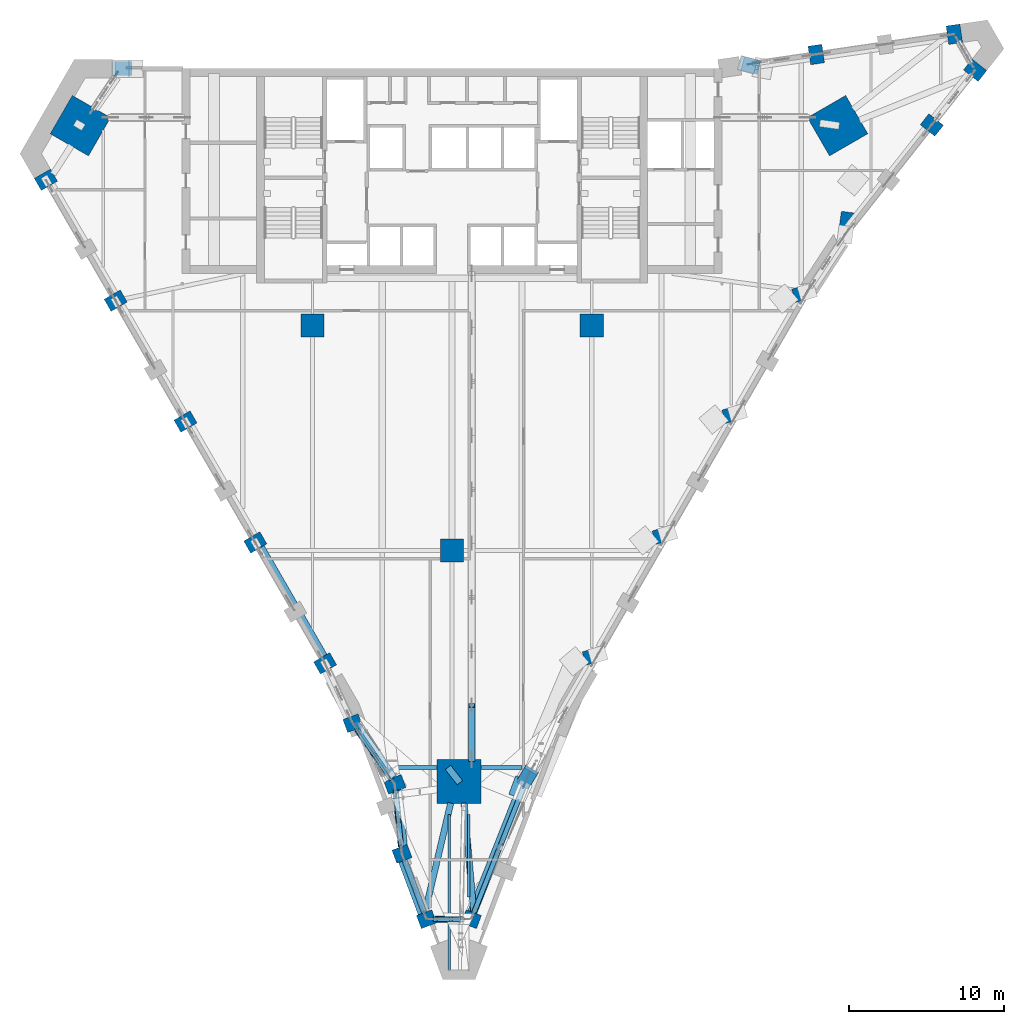
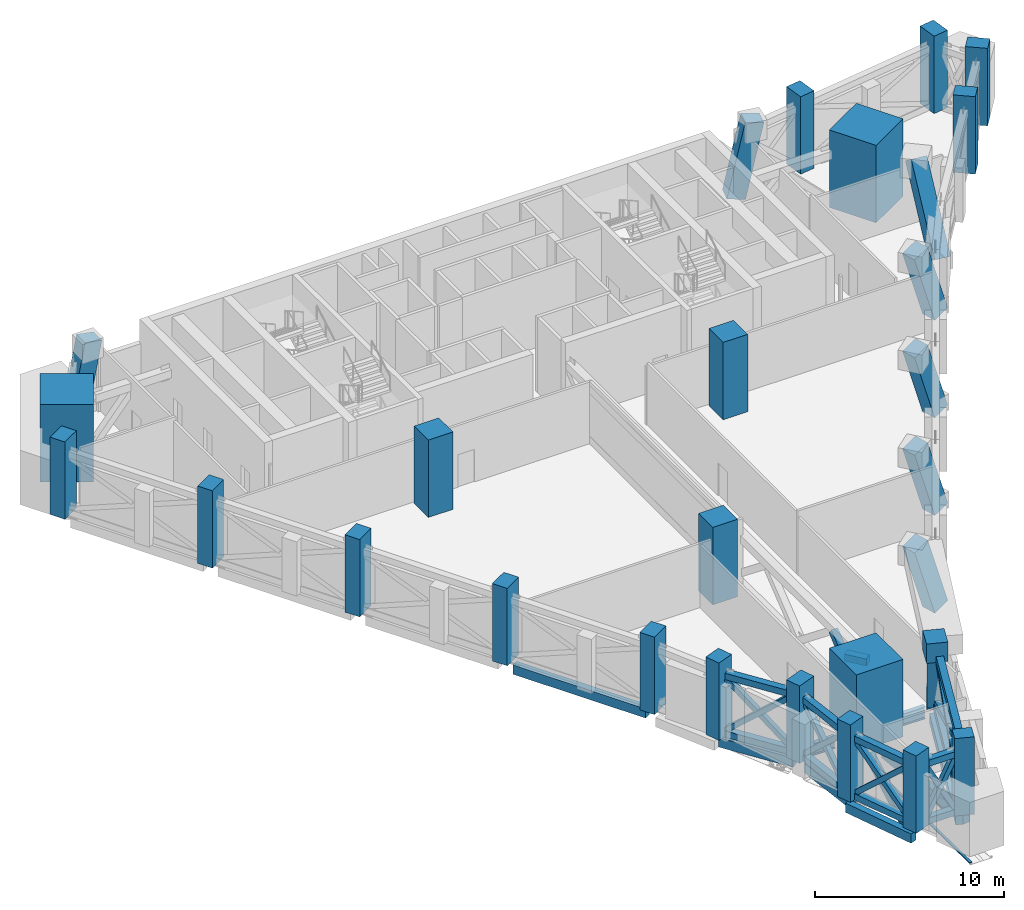
# One storey, part 1 of 20: 28 columns, 28 members, 12 beams, 1 element without a shape of its own.
"""IFC4 building model written with IfcOpenShell, lengths in metres."""

from ifc_helpers import new_model, si_unit, direction, frame, origin, origin_2d, place, context, subcontext, project, spatial, rectangle, hollow_rectangle, i_section, extrude, clip, halfspace, material, material_profile, profile_set, type_object, element, aggregate, save


model = new_model("IFC4")

# Units and contexts
model_context = context("Model", 3, precision=1e-05, world=origin(), true_north=direction((0.0, 1.0)))
body_context = subcontext(model_context, "Body", "Model", "MODEL_VIEW")
ifc_project = project(units=[si_unit("LENGTHUNIT", "METRE"), si_unit("AREAUNIT", "SQUARE_METRE"), si_unit("VOLUMEUNIT", "CUBIC_METRE"), si_unit("PLANEANGLEUNIT", "RADIAN"), si_unit("MASSUNIT", "GRAM", prefix="KILO")], contexts=[model_context])

# Site, building, storey
site_placement = place(None, origin())
site = spatial("IfcSite", under=ifc_project, at=site_placement, CompositionType="ELEMENT")
building_placement = place(site_placement, origin())
building = spatial("IfcBuilding", under=site, at=building_placement, Name="Calabash Gate Tower", CompositionType="ELEMENT")
storey_placement = place(building_placement, frame((0.0, 0.0, 139.60009765625)))
storey = spatial("IfcBuildingStorey", under=building, at=storey_placement, Name="L32", CompositionType="ELEMENT", Elevation=139.60009765625)

# Columns
ifc_material_1 = material(Name="Concrete C80/95", Category="concrete")
ifc_material_profile_1 = material_profile(ifc_material_1, rectangle(XDim=1.5, YDim=1.5, at=origin_2d()))
ifc_profile_set_1 = profile_set([ifc_material_profile_1], Name="Concrete C80/95")
column_type_1 = type_object("IfcColumnType", Name="Interior column RC 1500x1500 Concrete C80/95", PredefinedType="COLUMN", material=ifc_profile_set_1)
for number, where, z_axis, x_axis, name in (
    (1, (-9.0, 2.5, 0.0), (0.0, 0.0, 1.0), (1.0, 0.0, 0.0), "Interior column L32 I0"),
    (2, (9.0, 2.5, 0.0), (0.0, 0.0, 1.0), (1.0, 0.0, 0.0), "Interior column L32 I1"),
    (3, (0.0, -12.0, 0.0), (0.0, 0.0, 1.0), (1.0, 0.0, 0.0), "Interior column L32 I2"),
):
    element("IfcColumn", number, at=place(storey_placement, frame(where, z_axis=z_axis, x_axis=x_axis)), inside=storey, type_object=column_type_1, Name=name, PredefinedType="COLUMN", context=body_context, shape_type="SweptSolid", body=[
        extrude(rectangle(XDim=1.5, YDim=1.5, at=origin_2d()), origin(), (0.0, 0.0, 1.0), 5.0),
    ])
ifc_material_2 = material(Name="Concrete C80/95", Category="concrete")
ifc_material_profile_2 = material_profile(ifc_material_2, rectangle(XDim=2.85009765625, YDim=2.85009765625, at=origin_2d()))
ifc_profile_set_2 = profile_set([ifc_material_profile_2], Name="Concrete C80/95")
column_type_2 = type_object("IfcColumnType", Name="Mega column RC 2850x2850 Concrete C80/95", PredefinedType="COLUMN", material=ifc_profile_set_2)
for number, where, z_axis, x_axis, name in (
    (4, (-23.962890625, 15.382080078125, 0.0), (0.0, 0.0, 1.0), (0.866025403784, -0.5, 0.0), "Mega column L32 NW"),
    (5, (24.85205078125, 15.382080078125, 0.0), (0.0, 0.0, 1.0), (-0.866025403784, -0.5, 0.0), "Mega column L32 NE"),
    (6, (0.447021484375, -26.89306640625, 0.0), (0.0, 0.0, 1.0), (0.0, 1.0, 0.0), "Mega column L32 S"),
):
    element("IfcColumn", number, at=place(storey_placement, frame(where, z_axis=z_axis, x_axis=x_axis)), inside=storey, type_object=column_type_2, Name=name, PredefinedType="COLUMN", context=body_context, shape_type="SweptSolid", body=[
        extrude(rectangle(XDim=2.85009765625, YDim=2.85009765625, at=origin_2d()), origin(), (0.0, 0.0, 1.0), 5.0),
    ])
ifc_material_3 = material(Name="Concrete C60/75", Category="concrete")
ifc_material_profile_3 = material_profile(ifc_material_3, rectangle(XDim=0.89990234375, YDim=1.050048828125, at=origin_2d()))
ifc_profile_set_3 = profile_set([ifc_material_profile_3], Name="Concrete C60/75")
column_type_3 = type_object("IfcColumnType", Name="Perimeter column RC 900x1050 Concrete C60/75", PredefinedType="COLUMN", material=ifc_profile_set_3)
for number, where, z_axis, x_axis, name in (
    (7, (-6.39599609375, -23.136962890625, 0.0), (0.0, 0.0, 1.0), (0.351822468316, -0.936066744836, 0.0), "Perimeter column L32 P25"),
    (8, (-3.22998046875, -31.56201171875, 0.0), (0.0, 0.0, 1.0), (0.351822468316, -0.936066744836, 0.0), "Perimeter column L32 P26"),
    (9, (-1.64697265625, -35.77392578125, 0.0), (0.0, 0.0, 1.0), (0.351822468316, -0.936066744836, 0.0), "Perimeter column L32 P27"),
    (10, (1.237060546875, -35.77392578125, 0.0), (0.0, 0.0, 1.0), (0.351822517328, 0.936066726415, 0.0), "Perimeter column L32 P28"),
):
    element("IfcColumn", number, at=place(storey_placement, frame(where, z_axis=z_axis, x_axis=x_axis)), inside=storey, type_object=column_type_3, Name=name, PredefinedType="COLUMN", context=body_context, shape_type="SweptSolid", body=[
        extrude(rectangle(XDim=0.89990234375, YDim=1.050048828125, at=origin_2d()), origin(), (0.0, 0.0, 1.0), 5.0),
    ])
ifc_material_4 = material(Name="Concrete C70/85", Category="concrete")
ifc_material_profile_4 = material_profile(ifc_material_4, rectangle(XDim=0.89990234375, YDim=1.199951171875, at=origin_2d()))
ifc_profile_set_4 = profile_set([ifc_material_profile_4], Name="Concrete C70/85")
column_type_4 = type_object("IfcColumnType", Name="Perimeter column RC 900x1200 Concrete C70/85", PredefinedType="COLUMN", material=ifc_profile_set_4)
for number, where, z_axis, x_axis, name in (
    (11, (-26.18798828125, 11.89404296875, 0.0), (0.0, 0.0, 1.0), (0.5, -0.866025403784, 0.0), "Perimeter column L32 P20"),
    (12, (-21.68798828125, 4.10009765625, 0.0), (0.0, 0.0, 1.0), (0.5, -0.866025403784, 0.0), "Perimeter column L32 P00"),
    (13, (-17.18798828125, -3.694091796875, 0.0), (0.0, 0.0, 1.0), (0.5, -0.866025403784, 0.0), "Perimeter column L32 P01"),
    (14, (-12.68798828125, -11.488037109375, 0.0), (0.0, 0.0, 1.0), (0.5, -0.866025403784, 0.0), "Perimeter column L32 P02"),
    (15, (-8.18798828125, -19.281982421875, 0.0), (0.0, 0.0, 1.0), (0.5, -0.866025403784, 0.0), "Perimeter column L32 P03"),
    (16, (-3.68798828125, -27.076904296875, 0.0), (0.0, 0.0, 1.0), (0.351822500991, -0.936066732555, 0.0), "Perimeter column L32 P05"),
    (17, (30.928955078125, 15.424072265625, 0.0), (0.0, 0.0, 1.0), (0.620301172202, 0.784363726701, 0.0), "Perimeter column L32 P21"),
    (18, (33.719970703125, 18.9541015625, 0.0), (0.0, 0.0, 1.0), (0.620301172202, 0.784363726701, 0.0), "Perimeter column L32 P22"),
    (19, (32.3798828125, 21.27587890625, 0.0), (0.0, 0.0, 1.0), (-0.989429504293, -0.145014675236, 0.0), "Perimeter column L32 P23"),
    (20, (23.47705078125, 19.970947265625, 0.0), (0.0, 0.0, 1.0), (-0.989429504293, -0.145014675236, 0.0), "Perimeter column L32 P16"),
):
    element("IfcColumn", number, at=place(storey_placement, frame(where, z_axis=z_axis, x_axis=x_axis)), inside=storey, type_object=column_type_4, Name=name, PredefinedType="COLUMN", context=body_context, shape_type="SweptSolid", body=[
        extrude(rectangle(XDim=0.89990234375, YDim=1.199951171875, at=origin_2d()), origin(), (0.0, 0.0, 1.0), 5.0),
    ])
ifc_material_5 = material(Name="Concrete C60/75", Category="concrete")
ifc_material_profile_5 = material_profile(ifc_material_5, rectangle(XDim=0.89990234375, YDim=1.050048828125, at=origin_2d()))
ifc_profile_set_5 = profile_set([ifc_material_profile_5], Name="Concrete C60/75")
column_type_5 = type_object("IfcColumnType", Name="Raking transfer column RC 900x1050 Concrete C60/75", PredefinedType="COLUMN", material=ifc_profile_set_5)
column_1_placement = place(storey_placement, frame((4.906982421875, -26.506103515625, 0.0), z_axis=(-0.09870170984, -0.16544514761, 0.98126748423), x_axis=(0.858784949409, -0.512336228144, 0.0)))
element("IfcColumn", 21, at=column_1_placement, inside=storey, type_object=column_type_5, Name="Raking transfer column L32 TP08", PredefinedType="COLUMN", context=body_context, shape_type="Clipping", body=[
    clip(clip(extrude(rectangle(XDim=0.89990234375, YDim=1.050048828125, at=origin_2d()), origin(), (0.0, 0.0, 1.0), 5.095458984375), halfspace(frame((0.0, 0.0, 0.10693359375), z_axis=(0.0, 0.0, 1.0), x_axis=(1.0, 0.0, 0.0)), True)), halfspace(frame((0.0, 0.0, 4.988525390625), z_axis=(0.0, 0.0, 1.0), x_axis=(1.0, 0.0, 0.0)), False)),
])
for number, where, z_axis, x_axis, name in (
    (22, (9.426025390625, -18.70703125, 0.0), (-0.300174860852, -0.087380939098, 0.949873478098), (0.279498644508, -0.960146086655, 0.0), "Raking transfer column L32 TP09"),
    (23, (13.926025390625, -10.912109375, 0.0), (-0.30016998964, -0.087565040241, 0.949858063632), (0.280045566421, -0.959986708621, 0.0), "Raking transfer column L32 TP10"),
    (24, (18.426025390625, -3.117919921875, 0.0), (-0.300174860852, -0.087380939098, 0.949873478098), (0.279498644508, -0.960146086655, 0.0), "Raking transfer column L32 TP11"),
    (25, (22.926025390625, 4.676025390625, 0.0), (-0.300174860852, -0.087380939098, 0.949873478098), (0.279498644508, -0.960146086655, 0.0), "Raking transfer column L32 TP12"),
):
    element("IfcColumn", number, at=place(storey_placement, frame(where, z_axis=z_axis, x_axis=x_axis)), inside=storey, type_object=column_type_5, Name=name, PredefinedType="COLUMN", context=body_context, shape_type="Clipping", body=[
        clip(clip(extrude(rectangle(XDim=0.89990234375, YDim=1.050048828125, at=origin_2d()), origin(), (0.0, 0.0, 1.0), 5.263916015625), halfspace(frame((0.0, 0.0, 0.177001953125), z_axis=(0.0, 0.0, 1.0), x_axis=(1.0, 0.0, 0.0)), True)), halfspace(frame((0.0, 0.0, 5.0869140625), z_axis=(0.0, 0.0, 1.0), x_axis=(1.0, 0.0, 0.0)), False)),
    ])
column_2_placement = place(storey_placement, frame((25.330078125, 8.24609375, 0.0), z_axis=(0.082150199486, 0.599389316364, 0.796230991706), x_axis=(-0.990738041901, 0.135787084552, 0.0)))
element("IfcColumn", 26, at=column_2_placement, inside=storey, type_object=column_type_5, Name="Raking transfer column L32 TP13", PredefinedType="COLUMN", context=body_context, shape_type="Clipping", body=[
    clip(clip(extrude(rectangle(XDim=0.89990234375, YDim=1.050048828125, at=origin_2d()), origin(), (0.0, 0.0, 1.0), 6.279541015625), halfspace(frame((0.0, 0.0, 0.404052734375), z_axis=(0.0, 0.0, 1.0), x_axis=(1.0, 0.0, 0.0)), True)), halfspace(frame((0.0, 0.0, 5.87548828125), z_axis=(0.0, 0.0, 1.0), x_axis=(1.0, 0.0, 0.0)), False)),
])
column_3_placement = place(storey_placement, frame((-21.39697265625, 19.052978515625, 0.0), z_axis=(0.185539856981, 0.0, 0.982636739325), x_axis=(0.0, 1.0, 0.0)))
element("IfcColumn", 27, at=column_3_placement, inside=storey, type_object=column_type_5, Name="Raking transfer column L32 TP17", PredefinedType="COLUMN", context=body_context, shape_type="Clipping", body=[
    clip(clip(extrude(rectangle(XDim=0.89990234375, YDim=1.050048828125, at=origin_2d()), origin(), (0.0, 0.0, 1.0), 5.08837890625), halfspace(frame((0.0, 0.0, 0.10302734375), z_axis=(0.0, 0.0, 1.0), x_axis=(1.0, 0.0, 0.0)), True)), halfspace(frame((0.0, 0.0, 4.9853515625), z_axis=(0.0, 0.0, 1.0), x_axis=(1.0, 0.0, 0.0)), False)),
])
column_4_placement = place(storey_placement, frame((19.02294921875, 19.318115234375, 0.0), z_axis=(0.200397317099, -0.051878781018, 0.978340179784), x_axis=(0.250617765495, 0.968086119939, 0.0)))
element("IfcColumn", 28, at=column_4_placement, inside=storey, type_object=column_type_5, Name="Raking transfer column L32 TP24", PredefinedType="COLUMN", context=body_context, shape_type="Clipping", body=[
    clip(clip(extrude(rectangle(XDim=0.89990234375, YDim=1.050048828125, at=origin_2d()), origin(), (0.0, 0.0, 1.0), 5.110595703125), halfspace(frame((0.0, 0.0, 0.116943359375), z_axis=(0.0, 0.0, 1.0), x_axis=(1.0, 0.0, 0.0)), True)), halfspace(frame((0.0, 0.0, 4.99365234375), z_axis=(0.0, 0.0, 1.0), x_axis=(1.0, 0.0, 0.0)), False)),
])

# Members
ifc_material_6 = material(Name="Steel ASTM A500 Gr C", Category="steel")
ifc_material_profile_6 = material_profile(ifc_material_6, hollow_rectangle(XDim=0.406494140625, YDim=0.406494140625, WallThickness=0.015869140625, at=origin_2d()))
ifc_profile_set_6 = profile_set([ifc_material_profile_6], Name="Steel ASTM A500 Gr C")
member_type_1 = type_object("IfcMemberType", Name="Belt truss chord HSS16X16X.625 ASTM A500 Gr C", PredefinedType="CHORD", material=ifc_profile_set_6)
for number, where, z_axis, x_axis, name in (
    (29, (-6.133544921875, -23.519287109375, 0.203125), (0.566501932392, -0.824060410769, 0.0), (0.824060410769, 0.566501932392, 0.0), "Belt chord L32 11"),
    (30, (-6.133544921875, -23.519287109375, 3.9267578125), (0.566501932392, -0.824060410769, 0.0), (0.824060410769, 0.566501932392, 0.0), "Belt chord L32 12"),
):
    element("IfcMember", number, at=place(storey_placement, frame(where, z_axis=z_axis, x_axis=x_axis)), inside=storey, type_object=member_type_1, Name=name, PredefinedType="CHORD", context=body_context, shape_type="SweptSolid", body=[
        extrude(hollow_rectangle(XDim=0.406494140625, YDim=0.406494140625, WallThickness=0.015869140625, at=origin_2d()), origin(), (0.0, 0.0, 1.0), 3.853271484375),
    ])
for number, where, z_axis, x_axis, name in (
    (31, (-3.640869140625, -27.53955078125, 0.203125), (0.10167218298, -0.994817956818, 0.0), (0.994817956818, 0.10167218298, 0.0), "Belt chord L32 16"),
    (32, (-3.640869140625, -27.53955078125, 3.9267578125), (0.10167218298, -0.994817956818, 0.0), (0.994817956818, 0.10167218298, 0.0), "Belt chord L32 17"),
):
    element("IfcMember", number, at=place(storey_placement, frame(where, z_axis=z_axis, x_axis=x_axis)), inside=storey, type_object=member_type_1, Name=name, PredefinedType="CHORD", context=body_context, shape_type="SweptSolid", body=[
        extrude(hollow_rectangle(XDim=0.406494140625, YDim=0.406494140625, WallThickness=0.015869140625, at=origin_2d()), origin(), (0.0, 0.0, 1.0), 3.577880859375),
    ])
for number, where, z_axis, x_axis, name in (
    (33, (-3.071533203125, -31.98291015625, 0.203125), (0.351829371284, -0.936064150314, 0.0), (0.936064150314, 0.351829371284, 0.0), "Belt chord L32 21"),
    (34, (-3.071533203125, -31.98291015625, 3.9267578125), (0.351829371284, -0.936064150314, 0.0), (0.936064150314, 0.351829371284, 0.0), "Belt chord L32 22"),
):
    element("IfcMember", number, at=place(storey_placement, frame(where, z_axis=z_axis, x_axis=x_axis)), inside=storey, type_object=member_type_1, Name=name, PredefinedType="CHORD", context=body_context, shape_type="SweptSolid", body=[
        extrude(hollow_rectangle(XDim=0.406494140625, YDim=0.406494140625, WallThickness=0.015869140625, at=origin_2d()), origin(), (0.0, 0.0, 1.0), 3.60009765625),
    ])
for number, where, z_axis, x_axis, name in (
    (35, (-1.085693359375, -35.774169921875, 0.203125), (1.0, 0.0, 0.0), (0.0, 1.0, 0.0), "Belt chord L32 26"),
    (36, (-1.085693359375, -35.774169921875, 3.9267578125), (1.0, 0.0, 0.0), (0.0, 1.0, 0.0), "Belt chord L32 27"),
):
    element("IfcMember", number, at=place(storey_placement, frame(where, z_axis=z_axis, x_axis=x_axis)), inside=storey, type_object=member_type_1, Name=name, PredefinedType="CHORD", context=body_context, shape_type="SweptSolid", body=[
        extrude(hollow_rectangle(XDim=0.406494140625, YDim=0.406494140625, WallThickness=0.015869140625, at=origin_2d()), origin(), (0.0, 0.0, 1.0), 1.761962890625),
    ])
for number, where, z_axis, x_axis, name in (
    (37, (1.40283203125, -35.355712890625, 0.203125), (0.368134283516, 0.929772633121, 0.0), (-0.929772633121, 0.368134283516, 0.0), "Belt chord L32 31"),
    (38, (1.40283203125, -35.355712890625, 3.9267578125), (0.368134283516, 0.929772633121, 0.0), (-0.929772633121, 0.368134283516, 0.0), "Belt chord L32 32"),
):
    element("IfcMember", number, at=place(storey_placement, frame(where, z_axis=z_axis, x_axis=x_axis)), inside=storey, type_object=member_type_1, Name=name, PredefinedType="CHORD", context=body_context, shape_type="SweptSolid", body=[
        extrude(hollow_rectangle(XDim=0.406494140625, YDim=0.406494140625, WallThickness=0.015869140625, at=origin_2d()), origin(), (0.0, 0.0, 1.0), 9.067626953125),
    ])
ifc_material_7 = material(Name="Steel ASTM A500 Gr C", Category="steel")
ifc_material_profile_7 = material_profile(ifc_material_7, hollow_rectangle(XDim=0.3046875, YDim=0.3046875, WallThickness=0.0126953125, at=origin_2d()))
ifc_profile_set_7 = profile_set([ifc_material_profile_7], Name="Steel ASTM A500 Gr C")
member_type_2 = type_object("IfcMemberType", Name="Belt truss diagonal HSS12X12X.500 ASTM A500 Gr C", PredefinedType="BRACE", material=ifc_profile_set_7)
member_1_placement = place(storey_placement, frame((-6.133544921875, -23.519287109375, 0.40625), z_axis=(0.429328123281, -0.624520922871, 0.65241932793), x_axis=(0.824060410769, 0.566501932392, 0.0)))
element("IfcMember", 39, at=member_1_placement, inside=storey, type_object=member_type_2, Name="Belt diagonal L32 13", PredefinedType="BRACE", context=body_context, shape_type="SweptSolid", body=[
    extrude(hollow_rectangle(XDim=0.3046875, YDim=0.3046875, WallThickness=0.0126953125, at=origin_2d()), origin(), (0.0, 0.0, 1.0), 5.08447265625),
])
member_2_placement = place(storey_placement, frame((-6.133544921875, -23.519287109375, 3.723388671875), z_axis=(0.429300177192, -0.624576037739, -0.6523849561), x_axis=(0.824100960614, 0.566442942154, 0.0)))
element("IfcMember", 40, at=member_2_placement, inside=storey, type_object=member_type_2, Name="Belt diagonal (split) L32 14 half 1 of 2", PredefinedType="BRACE", context=body_context, shape_type="SweptSolid", body=[
    extrude(hollow_rectangle(XDim=0.3046875, YDim=0.3046875, WallThickness=0.0126953125, at=origin_2d()), origin(), (0.0, 0.0, 1.0), 2.387939453125),
])
member_3_placement = place(storey_placement, frame((-4.97607421875, -25.203125, 1.96435546875), z_axis=(0.429354931617, -0.624506970773, -0.652415041328), x_axis=(0.824037988421, 0.566534547613, 0.0)))
element("IfcMember", 41, at=member_3_placement, inside=storey, type_object=member_type_2, Name="Belt diagonal (split) L32 15 half 2 of 2", PredefinedType="BRACE", context=body_context, shape_type="SweptSolid", body=[
    extrude(hollow_rectangle(XDim=0.3046875, YDim=0.3046875, WallThickness=0.0126953125, at=origin_2d()), origin(), (0.0, 0.0, 1.0), 2.38818359375),
])
member_4_placement = place(storey_placement, frame((-3.640869140625, -27.53955078125, 0.40625), z_axis=(0.074558373166, -0.72952115596, 0.679882292752), x_axis=(0.994817956818, 0.10167218298, 0.0)))
element("IfcMember", 42, at=member_4_placement, inside=storey, type_object=member_type_2, Name="Belt diagonal L32 18", PredefinedType="BRACE", context=body_context, shape_type="SweptSolid", body=[
    extrude(hollow_rectangle(XDim=0.3046875, YDim=0.3046875, WallThickness=0.0126953125, at=origin_2d()), origin(), (0.0, 0.0, 1.0), 4.87890625),
])
for number, where, z_axis, x_axis, name in (
    (43, (-3.640869140625, -27.53955078125, 3.723388671875), (0.074522090397, -0.729526423616, -0.679880618409), (0.99482303422, 0.101622490544, 0.0), "Belt diagonal (split) L32 19 half 1 of 2"),
    (44, (-3.447509765625, -29.4306640625, 1.9609375), (0.074522090397, -0.729526423616, -0.679880618409), (0.99482303422, 0.101622490544, 0.0), "Belt diagonal (split) L32 20 half 2 of 2"),
):
    element("IfcMember", number, at=place(storey_placement, frame(where, z_axis=z_axis, x_axis=x_axis)), inside=storey, type_object=member_type_2, Name=name, PredefinedType="BRACE", context=body_context, shape_type="SweptSolid", body=[
        extrude(hollow_rectangle(XDim=0.3046875, YDim=0.3046875, WallThickness=0.0126953125, at=origin_2d()), origin(), (0.0, 0.0, 1.0), 2.28662109375),
    ])
member_5_placement = place(storey_placement, frame((-3.071533203125, -31.98291015625, 0.40625), z_axis=(0.258739529961, -0.688392777959, 0.677620276326), x_axis=(0.936064150314, 0.351829371284, 0.0)))
element("IfcMember", 45, at=member_5_placement, inside=storey, type_object=member_type_2, Name="Belt diagonal L32 23", PredefinedType="BRACE", context=body_context, shape_type="SweptSolid", body=[
    extrude(hollow_rectangle(XDim=0.3046875, YDim=0.3046875, WallThickness=0.0126953125, at=origin_2d()), origin(), (0.0, 0.0, 1.0), 4.895263671875),
])
member_6_placement = place(storey_placement, frame((-3.071533203125, -31.98291015625, 3.723388671875), z_axis=(0.258734200689, -0.688432982179, -0.677581465539), x_axis=(0.936073303265, 0.351805018319, 0.0)))
element("IfcMember", 46, at=member_6_placement, inside=storey, type_object=member_type_2, Name="Belt diagonal (split) L32 24 half 1 of 2", PredefinedType="BRACE", context=body_context, shape_type="SweptSolid", body=[
    extrude(hollow_rectangle(XDim=0.3046875, YDim=0.3046875, WallThickness=0.0126953125, at=origin_2d()), origin(), (0.0, 0.0, 1.0), 2.294921875),
])
member_7_placement = place(storey_placement, frame((-2.398681640625, -33.773193359375, 1.961181640625), z_axis=(0.258753151157, -0.688377009862, -0.677631093634), x_axis=(0.936055395939, 0.351852661967, 0.0)))
element("IfcMember", 47, at=member_7_placement, inside=storey, type_object=member_type_2, Name="Belt diagonal (split) L32 25 half 2 of 2", PredefinedType="BRACE", context=body_context, shape_type="SweptSolid", body=[
    extrude(hollow_rectangle(XDim=0.3046875, YDim=0.3046875, WallThickness=0.0126953125, at=origin_2d()), origin(), (0.0, 0.0, 1.0), 2.294677734375),
])
member_8_placement = place(storey_placement, frame((-1.085693359375, -35.774169921875, 0.40625), z_axis=(0.46909978011, 0.0, 0.883145172835), x_axis=(0.0, 1.0, 0.0)))
element("IfcMember", 48, at=member_8_placement, inside=storey, type_object=member_type_2, Name="Belt diagonal L32 28", PredefinedType="BRACE", context=body_context, shape_type="SweptSolid", body=[
    extrude(hollow_rectangle(XDim=0.3046875, YDim=0.3046875, WallThickness=0.0126953125, at=origin_2d()), origin(), (0.0, 0.0, 1.0), 3.756103515625),
])
for number, where, z_axis, x_axis, name in (
    (49, (-1.085693359375, -35.774169921875, 3.723388671875), (0.469099027282, 0.0, -0.883145572713), (0.0, 1.0, 0.0), "Belt diagonal (split) L32 29 half 1 of 2"),
    (50, (-0.118408203125, -35.774169921875, 1.90234375), (0.469099027282, 0.0, -0.883145572713), (0.0, 1.0, 0.0), "Belt diagonal (split) L32 30 half 2 of 2"),
):
    element("IfcMember", number, at=place(storey_placement, frame(where, z_axis=z_axis, x_axis=x_axis)), inside=storey, type_object=member_type_2, Name=name, PredefinedType="BRACE", context=body_context, shape_type="SweptSolid", body=[
        extrude(hollow_rectangle(XDim=0.3046875, YDim=0.3046875, WallThickness=0.0126953125, at=origin_2d()), origin(), (0.0, 0.0, 1.0), 1.694091796875),
    ])
member_9_placement = place(storey_placement, frame((1.40283203125, -35.355712890625, 0.40625), z_axis=(0.345727206279, 0.873180546657, 0.343552662306), x_axis=(-0.929772633121, 0.368134283516, 0.0)))
element("IfcMember", 51, at=member_9_placement, inside=storey, type_object=member_type_2, Name="Belt diagonal L32 33", PredefinedType="BRACE", context=body_context, shape_type="SweptSolid", body=[
    extrude(hollow_rectangle(XDim=0.3046875, YDim=0.3046875, WallThickness=0.0126953125, at=origin_2d()), origin(), (0.0, 0.0, 1.0), 9.655517578125),
])
for number, where, z_axis, x_axis, name in (
    (52, (1.40283203125, -35.355712890625, 3.723388671875), (0.345722650208, 0.873186306015, -0.343542608888), (-0.929775124729, 0.368127990561, 0.0), "Belt diagonal (split) L32 34 half 1 of 2"),
    (53, (3.153564453125, -30.93408203125, 1.983642578125), (0.345722650208, 0.873186306015, -0.343542608888), (-0.929775124729, 0.368127990561, 0.0), "Belt diagonal (split) L32 35 half 2 of 2"),
):
    element("IfcMember", number, at=place(storey_placement, frame(where, z_axis=z_axis, x_axis=x_axis)), inside=storey, type_object=member_type_2, Name=name, PredefinedType="BRACE", context=body_context, shape_type="SweptSolid", body=[
        extrude(hollow_rectangle(XDim=0.3046875, YDim=0.3046875, WallThickness=0.0126953125, at=origin_2d()), origin(), (0.0, 0.0, 1.0), 4.591552734375),
    ])

# Beams
ifc_material_8 = material(Name="Concrete C80/95", Category="concrete")
ifc_material_profile_8 = material_profile(ifc_material_8, rectangle(XDim=0.449951171875, YDim=0.449951171875, at=origin_2d()))
ifc_profile_set_8 = profile_set([ifc_material_profile_8], Name="Concrete C80/95")
beam_type_1 = type_object("IfcBeamType", Name="Column offset link RC 450x450 Concrete C80/95", PredefinedType="BEAM", material=ifc_profile_set_8)
beam_1_placement = place(storey_placement, frame((0.506103515625, -26.970947265625, 4.60400390625), z_axis=(-0.618649411755, 0.785667172112, 0.0), x_axis=(-0.785667172112, -0.618649411755, 0.0)))
element("IfcBeam", 54, at=beam_1_placement, inside=storey, type_object=beam_type_1, Name="Column offset link L32 S", PredefinedType="BEAM", context=body_context, shape_type="SweptSolid", body=[
    extrude(rectangle(XDim=0.449951171875, YDim=0.449951171875, at=origin_2d()), origin(), (0.0, 0.0, 1.0), 1.249755859375),
])
ifc_material_9 = material(Name="Concrete C60/75", Category="concrete")
ifc_material_profile_9 = material_profile(ifc_material_9, rectangle(XDim=0.39990234375, YDim=0.60009765625, at=origin_2d()))
ifc_profile_set_9 = profile_set([ifc_material_profile_9], Name="Concrete C60/75")
beam_type_2 = type_object("IfcBeamType", Name="Edge beam RC 400x600 Concrete C60/75", PredefinedType="BEAM", material=ifc_profile_set_9)
beam_2_placement = place(storey_placement, frame((-12.2900390625, -11.778076171875, -0.60009765625), z_axis=(0.499999880539, -0.866025472755, 0.0), x_axis=(0.866025472755, 0.499999880539, 0.0)))
element("IfcBeam", 55, at=beam_2_placement, inside=storey, type_object=beam_type_2, Name="Edge beam L32 2", PredefinedType="BEAM", context=body_context, shape_type="SweptSolid", body=[
    extrude(rectangle(XDim=0.39990234375, YDim=0.60009765625, at=origin_2d()), origin(), (0.0, 0.0, 1.0), 8.10009765625),
])
beam_3_placement = place(storey_placement, frame((-6.23095703125, -23.02392578125, -0.60009765625), z_axis=(0.566502660955, -0.824059909916, 0.0), x_axis=(0.824059909916, 0.566502660955, 0.0)))
element("IfcBeam", 56, at=beam_3_placement, inside=storey, type_object=beam_type_2, Name="Edge beam L32 4", PredefinedType="BEAM", context=body_context, shape_type="SweptSolid", body=[
    extrude(rectangle(XDim=0.39990234375, YDim=0.60009765625, at=origin_2d()), origin(), (0.0, 0.0, 1.0), 4.356689453125),
])
beam_4_placement = place(storey_placement, frame((-3.450927734375, -27.426025390625, -0.60009765625), z_axis=(0.101519648707, -0.994833534279, 0.0), x_axis=(0.994833534279, 0.101519648707, 0.0)))
element("IfcBeam", 57, at=beam_4_placement, inside=storey, type_object=beam_type_2, Name="Edge beam L32 5", PredefinedType="BEAM", context=body_context, shape_type="SweptSolid", body=[
    extrude(rectangle(XDim=0.39990234375, YDim=0.60009765625, at=origin_2d()), origin(), (0.0, 0.0, 1.0), 4.136474609375),
])
beam_5_placement = place(storey_placement, frame((-3.4169921875, -31.632080078125, -0.60009765625), z_axis=(0.351813100141, -0.936070265829, 0.0), x_axis=(0.936070265829, 0.351813100141, 0.0)))
element("IfcBeam", 58, at=beam_5_placement, inside=storey, type_object=beam_type_2, Name="Edge beam L32 6", PredefinedType="BEAM", context=body_context, shape_type="SweptSolid", body=[
    extrude(rectangle(XDim=0.39990234375, YDim=0.60009765625, at=origin_2d()), origin(), (0.0, 0.0, 1.0), 4.49951171875),
])
beam_6_placement = place(storey_placement, frame((-1.841064453125, -35.72802734375, -0.60009765625), z_axis=(0.229181740017, 0.973383649977, 0.0), x_axis=(-0.973383649977, 0.229181740017, 0.0)))
element("IfcBeam", 59, at=beam_6_placement, inside=storey, type_object=beam_type_2, Name="Edge beam L32 7", PredefinedType="BEAM", context=body_context, shape_type="SweptSolid", body=[
    extrude(rectangle(XDim=0.39990234375, YDim=0.60009765625, at=origin_2d()), origin(), (0.0, 0.0, 1.0), 7.644287109375),
])
beam_7_placement = place(storey_placement, frame((0.77001953125, -28.285888671875, -0.60009765625), z_axis=(0.088803909457, -0.996049128138, 0.0), x_axis=(0.996049128138, 0.088803909457, 0.0)))
element("IfcBeam", 60, at=beam_7_placement, inside=storey, type_object=beam_type_2, Name="Edge beam L32 8", PredefinedType="BEAM", context=body_context, shape_type="SweptSolid", body=[
    extrude(rectangle(XDim=0.39990234375, YDim=0.60009765625, at=origin_2d()), origin(), (0.0, 0.0, 1.0), 7.499755859375),
])
beam_8_placement = place(storey_placement, frame((1.051025390625, -35.699951171875, -0.60009765625), z_axis=(0.368166614995, 0.929759831141, 0.0), x_axis=(-0.929759831141, 0.368166614995, 0.0)))
element("IfcBeam", 61, at=beam_8_placement, inside=storey, type_object=beam_type_2, Name="Edge beam L32 9", PredefinedType="BEAM", context=body_context, shape_type="SweptSolid", body=[
    extrude(rectangle(XDim=0.39990234375, YDim=0.60009765625, at=origin_2d()), origin(), (0.0, 0.0, 1.0), 9.5634765625),
])
ifc_material_10 = material(Name="Steel ASTM A992 Gr50", Category="steel")
ifc_material_profile_10 = material_profile(ifc_material_10, i_section(OverallWidth=0.2666015625, OverallDepth=0.77978515625, WebThickness=0.0166015625, FlangeThickness=0.030029296875, FilletRadius=0.0166015625, at=origin_2d()))
ifc_profile_set_10 = profile_set([ifc_material_profile_10], Name="Steel ASTM A992 Gr50")
beam_type_3 = type_object("IfcBeamType", Name="Girder W30x148 ASTM A992 Gr50", PredefinedType="BEAM", material=ifc_profile_set_10)
beam_9_placement = place(storey_placement, frame((-3.952880859375, -26.0, -0.690185546875), z_axis=(1.0, 0.0, 0.0), x_axis=(0.0, 1.0, 0.0)))
element("IfcBeam", 62, at=beam_9_placement, inside=storey, type_object=beam_type_3, Name="Girder L32 6", PredefinedType="BEAM", context=body_context, shape_type="SweptSolid", body=[
    extrude(i_section(OverallWidth=0.2666015625, OverallDepth=0.77978515625, WebThickness=0.0166015625, FlangeThickness=0.030029296875, FilletRadius=0.0166015625, at=origin_2d()), origin(), (0.0, 0.0, 1.0), 2.972900390625),
])
beam_10_placement = place(storey_placement, frame((1.8701171875, -26.0, -0.690185546875), z_axis=(1.0, 0.0, 0.0), x_axis=(0.0, 1.0, 0.0)))
element("IfcBeam", 63, at=beam_10_placement, inside=storey, type_object=beam_type_3, Name="Girder L32 7", PredefinedType="BEAM", context=body_context, shape_type="SweptSolid", body=[
    extrude(i_section(OverallWidth=0.2666015625, OverallDepth=0.77978515625, WebThickness=0.0166015625, FlangeThickness=0.030029296875, FilletRadius=0.0166015625, at=origin_2d()), origin(), (0.0, 0.0, 1.0), 2.64794921875),
])

# Member
ifc_material_11 = material(Name="Steel ASTM A500 Gr C", Category="steel")
ifc_material_profile_11 = material_profile(ifc_material_11, hollow_rectangle(XDim=0.406494140625, YDim=0.406494140625, WallThickness=0.015869140625, at=origin_2d()))
ifc_profile_set_11 = profile_set([ifc_material_profile_11], Name="Steel ASTM A500 Gr C")
member_type_3 = type_object("IfcMemberType", Name="Outrigger diagonal HSS16X16X.625 ASTM A500 Gr C", PredefinedType="BRACE", material=ifc_profile_set_11)
member_10_placement = place(storey_placement, frame((1.26953125, -25.4677734375, 0.5078125), z_axis=(0.0, 0.78304002467, 0.621971317477), x_axis=(-1.0, 0.0, 0.0)))
element("IfcMember", 64, at=member_10_placement, inside=storey, type_object=member_type_3, Name="Outrigger diagonal L32 S", PredefinedType="BRACE", context=body_context, shape_type="SweptSolid", body=[
    extrude(hollow_rectangle(XDim=0.406494140625, YDim=0.406494140625, WallThickness=0.015869140625, at=origin_2d()), origin(), (0.0, 0.0, 1.0), 4.444091796875),
])

# Curtain wall, members
ifc_material_12 = material(Name="Anodised aluminium frame, bronze finish, dark tinted laminated glass", Category="aluminium")
curtain_wall_type = type_object("IfcCurtainWallType", Name="Curtain wall CWD soffit glazing", PredefinedType="NOTDEFINED", material=ifc_material_12)
curtain_wall_placement = place(storey_placement, origin())
curtain_wall = element("IfcCurtainWall", 65, at=curtain_wall_placement, inside=storey, type_object=curtain_wall_type, Name="Curtain wall CWD soffit Z3 S", PredefinedType="NOTDEFINED")
ifc_material_13 = material(Name="Anodised aluminium frame, bronze finish", Category="aluminium")
ifc_material_profile_12 = material_profile(ifc_material_13, rectangle(XDim=0.14990234375, YDim=0.070068359375, at=origin_2d()))
ifc_profile_set_12 = profile_set([ifc_material_profile_12], Name="Anodised aluminium frame, bronze finish")
member_type_4 = type_object("IfcMemberType", Name="Soffit raking mullion 150x70", PredefinedType="MULLION", material=ifc_profile_set_12)
member_11_placement = place(storey_placement, frame((-0.188720703125, -29.01416015625, -1.009033203125), z_axis=(0.0, -0.999941146836, 0.010849095081), x_axis=(1.0, 0.0, 0.0)))
member_11 = element("IfcMember", 66, at=member_11_placement, type_object=member_type_4, Name="Soffit raking mullion Z3 S 1", PredefinedType="MULLION", context=body_context, shape_type="SweptSolid", body=[
    extrude(rectangle(XDim=0.14990234375, YDim=0.070068359375, at=origin_2d()), origin(), (0.0, 0.0, 1.0), 10.036376953125),
])
member_12_placement = place(storey_placement, frame((1.077880859375, -29.01416015625, -1.009033203125), z_axis=(0.0, -0.99994130513, 0.01083449557), x_axis=(1.0, 0.0, 0.0)))
member_12 = element("IfcMember", 67, at=member_12_placement, type_object=member_type_4, Name="Soffit raking mullion Z3 S 2", PredefinedType="MULLION", context=body_context, shape_type="SweptSolid", body=[
    extrude(rectangle(XDim=0.14990234375, YDim=0.070068359375, at=origin_2d()), origin(), (0.0, 0.0, 1.0), 5.31787109375),
])
aggregate(curtain_wall, [member_11, member_12])

# Beams
ifc_material_14 = material(Name="Concrete C60/75", Category="concrete")
ifc_material_profile_13 = material_profile(ifc_material_14, rectangle(XDim=1.14990234375, YDim=1.25, at=origin_2d()))
ifc_profile_set_13 = profile_set([ifc_material_profile_13], Name="Concrete C60/75")
beam_type_4 = type_object("IfcBeamType", Name="Transfer node RC 1150x1250 Concrete C60/75", PredefinedType="BEAM", material=ifc_profile_set_13)
beam_11_placement = place(storey_placement, frame((4.19189453125, -27.91796875, 4.376953125), z_axis=(0.351249852623, 0.936281763697, 0.0), x_axis=(-0.936281763697, 0.351249852623, 0.0)))
element("IfcBeam", 68, at=beam_11_placement, inside=storey, type_object=beam_type_4, Name="Transfer node L32 head P08", PredefinedType="BEAM", context=body_context, shape_type="SweptSolid", body=[
    extrude(rectangle(XDim=1.14990234375, YDim=1.25, at=origin_2d()), origin(), (0.0, 0.0, 1.0), 1.269775390625),
])
ifc_material_15 = material(Name="Concrete C60/75", Category="concrete")
ifc_material_profile_14 = material_profile(ifc_material_15, rectangle(XDim=0.949951171875, YDim=1.050048828125, at=origin_2d()))
ifc_profile_set_14 = profile_set([ifc_material_profile_14], Name="Concrete C60/75")
beam_type_5 = type_object("IfcBeamType", Name="Transfer node RC 950x1050 Concrete C60/75", PredefinedType="BEAM", material=ifc_profile_set_14)
beam_12_placement = place(storey_placement, frame((5.180908203125, -26.047119140625, 0.52685546875), z_axis=(-0.512715894712, -0.858558333085, 0.0), x_axis=(0.858558333085, -0.512715894712, 0.0)))
element("IfcBeam", 69, at=beam_12_placement, inside=storey, type_object=beam_type_5, Name="Transfer node L32 foot P08", PredefinedType="BEAM", context=body_context, shape_type="SweptSolid", body=[
    extrude(rectangle(XDim=0.949951171875, YDim=1.050048828125, at=origin_2d()), origin(), (0.0, 0.0, 1.0), 1.08984375),
])

save(model, "model.ifc")
